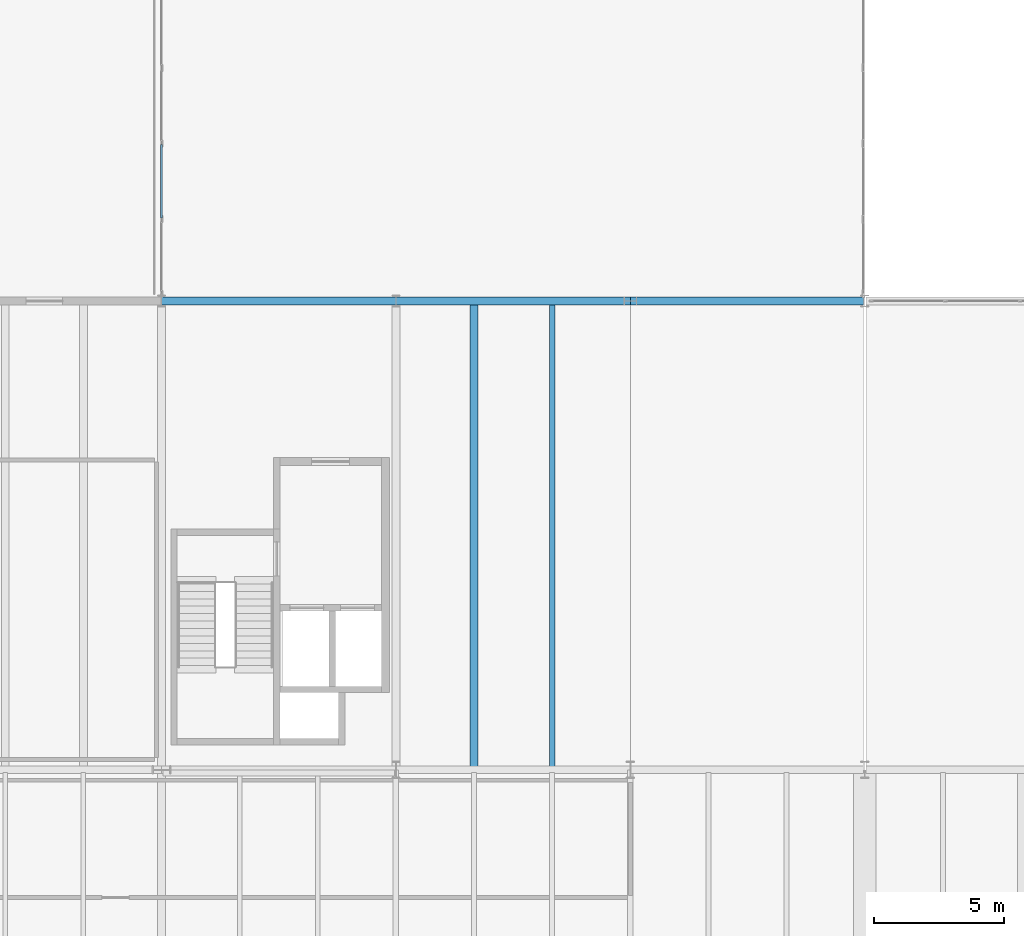
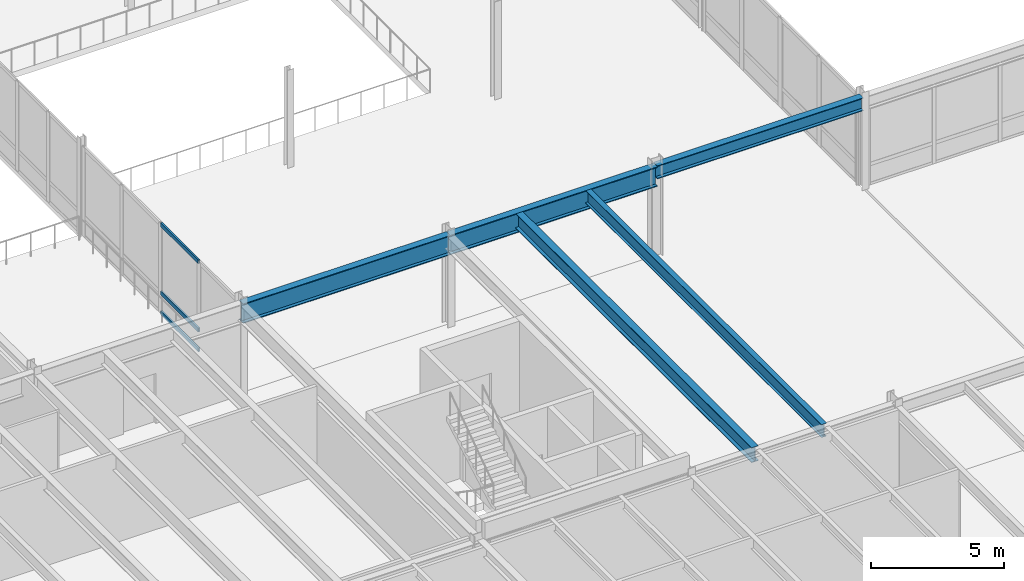
# One storey, part 30 of 115: 5 beams, 3 members, 1 element without a shape of its own.
"""IFC4 building model written with IfcOpenShell, lengths in metres."""

from ifc_helpers import new_model, si_unit, direction, frame, origin, origin_2d, place, context, subcontext, project, spatial, hollow_rectangle, i_section, extrude, material, layer, layer_set, material_profile, profile_set, type_object, element, aggregate, save


model = new_model("IFC4")

# Units and contexts
model_context = context("Model", 3, precision=1e-05, world=origin(), true_north=direction((0.0, 1.0)))
body_context = subcontext(model_context, "Body", "Model", "MODEL_VIEW")
ifc_project = project(units=[si_unit("LENGTHUNIT", "METRE"), si_unit("AREAUNIT", "SQUARE_METRE"), si_unit("VOLUMEUNIT", "CUBIC_METRE"), si_unit("PLANEANGLEUNIT", "RADIAN"), si_unit("MASSUNIT", "GRAM", prefix="KILO")], contexts=[model_context])

# Site, building, storey
site_placement = place(None, origin())
site = spatial("IfcSite", under=ifc_project, at=site_placement, CompositionType="ELEMENT")
building_placement = place(site_placement, origin())
building = spatial("IfcBuilding", under=site, at=building_placement, Name="Montelvaro Courts of Justice", CompositionType="ELEMENT")
storey_placement = place(building_placement, frame((0.0, 0.0, 9.89990234375)))
storey = spatial("IfcBuildingStorey", under=building, at=storey_placement, Name="L02", CompositionType="ELEMENT", Elevation=9.89990234375)

# Beams
ifc_material_1 = material(Name="Steel S355", Category="steel")
ifc_material_profile_1 = material_profile(ifc_material_1, i_section(OverallWidth=0.300048828125, OverallDepth=0.68994140625, WebThickness=0.014404296875, FlangeThickness=0.027099609375, at=origin_2d()), Name="HEA 700")
ifc_profile_set_1 = profile_set([ifc_material_profile_1], Name="Steel S355")
beam_type_1 = type_object("IfcBeamType", Name="Beam_HEA700", PredefinedType="USERDEFINED", material=ifc_profile_set_1)
beam_1_placement = place(storey_placement, frame((66.0, 24.110107421875, 3.815185546875), z_axis=(0.0, 1.0, 0.0), x_axis=(-1.0, 0.0, 0.0)))
element("IfcBeam", 1, at=beam_1_placement, inside=storey, type_object=beam_type_1, Name="Beam B-23 L02", ObjectType="GIRDER", PredefinedType="USERDEFINED", context=body_context, shape_type="SweptSolid", body=[
    extrude(i_section(OverallWidth=0.300048828125, OverallDepth=0.68994140625, WebThickness=0.014404296875, FlangeThickness=0.027099609375, at=origin_2d()), origin(), (0.0, 0.0, 1.0), 17.77978515625),
])
ifc_material_profile_2 = material_profile(ifc_material_1, i_section(OverallWidth=0.300048828125, OverallDepth=0.60009765625, WebThickness=0.015380859375, FlangeThickness=0.030029296875, at=origin_2d()), Name="HEB 600")
ifc_profile_set_2 = profile_set([ifc_material_profile_2], Name="Steel S355")
beam_type_2 = type_object("IfcBeamType", Name="Beam_HEB600", PredefinedType="USERDEFINED", material=ifc_profile_set_2)
beam_2_placement = place(storey_placement, frame((72.0, 42.0, 3.900146484375), z_axis=(1.0, 0.0, 0.0), x_axis=(0.0, 1.0, 0.0)))
element("IfcBeam", 2, at=beam_2_placement, inside=storey, type_object=beam_type_2, Name="V4 Roof Eave Girder", ObjectType="GIRDER", PredefinedType="USERDEFINED", context=body_context, shape_type="SweptSolid", body=[
    extrude(i_section(OverallWidth=0.300048828125, OverallDepth=0.60009765625, WebThickness=0.015380859375, FlangeThickness=0.030029296875, at=origin_2d()), origin(), (0.0, 0.0, 1.0), 8.949951171875),
])
ifc_material_profile_3 = material_profile(ifc_material_1, i_section(OverallWidth=0.300048828125, OverallDepth=0.89990234375, WebThickness=0.0185546875, FlangeThickness=0.034912109375, at=origin_2d()), Name="HEB 900")
ifc_profile_set_3 = profile_set([ifc_material_profile_3], Name="Steel S355")
beam_type_3 = type_object("IfcBeamType", Name="Beam_HEB900", PredefinedType="USERDEFINED", material=ifc_profile_set_3)
for number, where, z_axis, x_axis, name in (
    (3, (54.0, 42.0, 3.710205078125), (1.0, 0.0, 0.0), (0.0, 1.0, 0.0), "Beam B-30 L02"),
    (4, (63.0, 42.0, 3.710205078125), (1.0, 0.0, 0.0), (0.0, 1.0, 0.0), "Beam B-30 L02"),
):
    element("IfcBeam", number, at=place(storey_placement, frame(where, z_axis=z_axis, x_axis=x_axis)), inside=storey, type_object=beam_type_3, Name=name, ObjectType="GIRDER", PredefinedType="USERDEFINED", context=body_context, shape_type="SweptSolid", body=[
        extrude(i_section(OverallWidth=0.300048828125, OverallDepth=0.89990234375, WebThickness=0.0185546875, FlangeThickness=0.034912109375, at=origin_2d()), origin(), (0.0, 0.0, 1.0), 9.0),
    ])
ifc_material_profile_4 = material_profile(ifc_material_1, i_section(OverallWidth=0.219970703125, OverallDepth=0.60009765625, WebThickness=0.011962890625, FlangeThickness=0.01904296875, at=origin_2d()), Name="IPE 600")
ifc_profile_set_4 = profile_set([ifc_material_profile_4], Name="Steel S355")
beam_type_4 = type_object("IfcBeamType", Name="Beam_IPE600", PredefinedType="USERDEFINED", material=ifc_profile_set_4)
beam_3_placement = place(storey_placement, frame((69.0, 24.110107421875, 3.860107421875), z_axis=(0.0, 1.0, 0.0), x_axis=(-1.0, 0.0, 0.0)))
element("IfcBeam", 5, at=beam_3_placement, inside=storey, type_object=beam_type_4, Name="Beam B-12 L02", ObjectType="GIRDER", PredefinedType="USERDEFINED", context=body_context, shape_type="SweptSolid", body=[
    extrude(i_section(OverallWidth=0.219970703125, OverallDepth=0.60009765625, WebThickness=0.011962890625, FlangeThickness=0.01904296875, at=origin_2d()), origin(), (0.0, 0.0, 1.0), 17.77978515625),
])

# Curtain wall, members
ifc_material_2 = material(Name="Anodised aluminium EN AW-6063", Category="aluminium")
ifc_layer = layer(ifc_material_2, 0.159912109375)
ifc_layer_set = layer_set([ifc_layer], Name="Anodised aluminium EN AW-6063")
curtain_wall_type = type_object("IfcCurtainWallType", Name="CurtainWall_19_1159x418", PredefinedType="USERDEFINED", material=ifc_layer_set)
curtain_wall_placement = place(storey_placement, origin())
curtain_wall = element("IfcCurtainWall", 6, at=curtain_wall_placement, inside=storey, type_object=curtain_wall_type, Name="Curtain Wall CW-19 (L02)", ObjectType="CURTAIN WALL", PredefinedType="USERDEFINED")
ifc_material_profile_5 = material_profile(ifc_material_2, hollow_rectangle(XDim=0.074951171875, YDim=0.179931640625, WallThickness=0.0048828125, at=origin_2d()), Name="ALU-T 75x180")
ifc_profile_set_5 = profile_set([ifc_material_profile_5], Name="Anodised aluminium EN AW-6063")
member_type = type_object("IfcMemberType", Name="CurtainWall_Transom_75x180", PredefinedType="USERDEFINED", material=ifc_profile_set_5)
member_1_placement = place(storey_placement, frame((54.0, 48.010009765625, 0.03759765625), z_axis=(0.0, -1.0, 0.0), x_axis=(1.0, 0.0, 0.0)))
member_1 = element("IfcMember", 7, at=member_1_placement, type_object=member_type, Name="CW-19 transom 3.1", ObjectType="TRANSOM", PredefinedType="USERDEFINED", context=body_context, shape_type="SweptSolid", body=[
    extrude(hollow_rectangle(XDim=0.074951171875, YDim=0.179931640625, WallThickness=0.0048828125, at=origin_2d()), origin(), (0.0, 0.0, 1.0), 2.828857421875),
])
member_2_placement = place(storey_placement, frame((54.0, 48.010009765625, 0.9501953125), z_axis=(0.0, -1.0, 0.0), x_axis=(1.0, 0.0, 0.0)))
member_2 = element("IfcMember", 8, at=member_2_placement, type_object=member_type, Name="CW-19 transom 3.2", ObjectType="TRANSOM", PredefinedType="USERDEFINED", context=body_context, shape_type="SweptSolid", body=[
    extrude(hollow_rectangle(XDim=0.074951171875, YDim=0.179931640625, WallThickness=0.0048828125, at=origin_2d()), origin(), (0.0, 0.0, 1.0), 2.828857421875),
])
member_3_placement = place(storey_placement, frame((54.0, 48.010009765625, 4.08251953125), z_axis=(0.0, -1.0, 0.0), x_axis=(1.0, 0.0, 0.0)))
member_3 = element("IfcMember", 9, at=member_3_placement, type_object=member_type, Name="CW-19 transom 3.3", ObjectType="TRANSOM", PredefinedType="USERDEFINED", context=body_context, shape_type="SweptSolid", body=[
    extrude(hollow_rectangle(XDim=0.074951171875, YDim=0.179931640625, WallThickness=0.0048828125, at=origin_2d()), origin(), (0.0, 0.0, 1.0), 2.828857421875),
])
aggregate(curtain_wall, [member_1, member_2, member_3])

save(model, "model.ifc")
